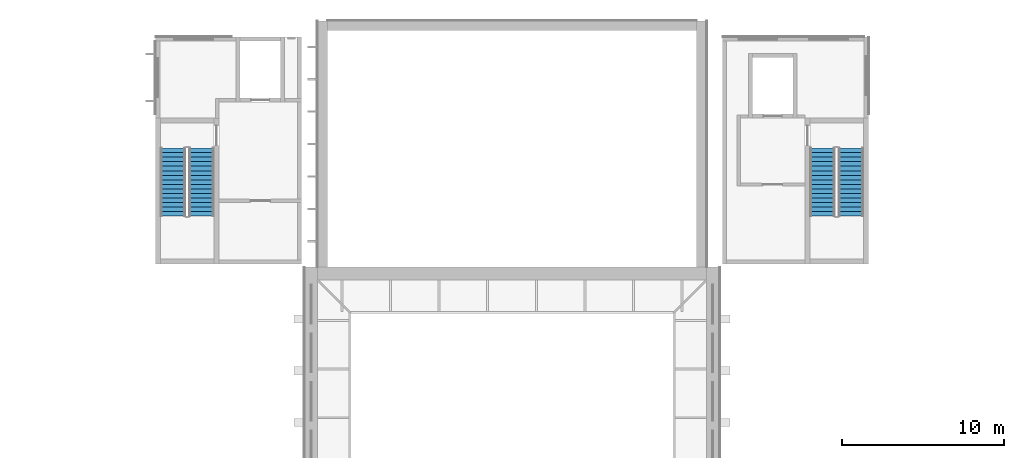
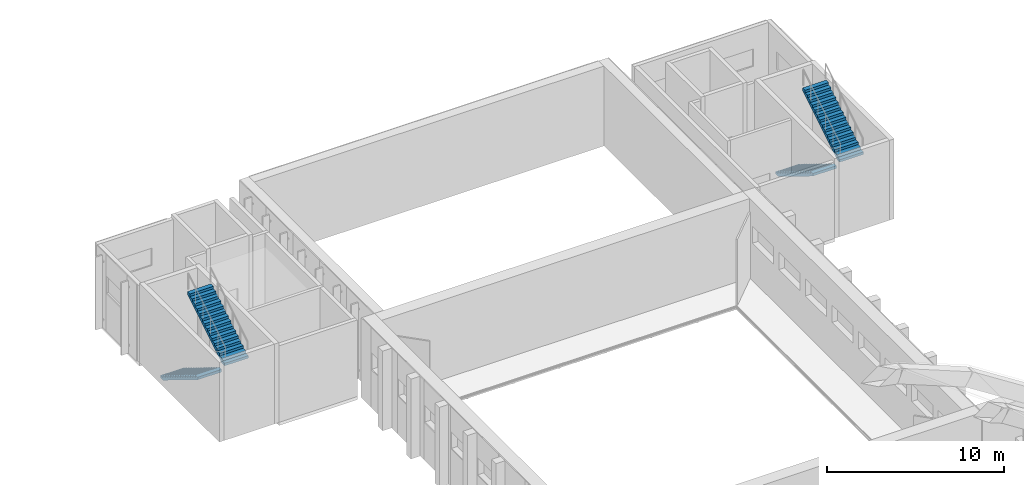
# One storey, part 70 of 94: 4 stair flights, 2 elements without a shape of their own.
"""IFC4 building model written with IfcOpenShell, lengths in metres."""

import ifcopenshell
import ifcopenshell.guid

model = None  # the IFC model being written
_history = None  # IfcOwnerHistory: only IFC2X3 demands one
_inside = {}  # id of a spatial element -> (the spatial element, [elements in it])
_under = {}  # id of a project, library or spatial element -> (it, [spatial elements below it])
_declared = {}  # id of a project -> (the project, [libraries it declares])
_typed = {}  # id of a type object -> (the type object, [elements of that type])
_made_of = {}  # id of a material, layer set ... -> (it, [elements and type objects made of it])


def new_model(schema):
    """Start an empty IFC model of exactly this schema.

    Asked for "IFC4X3", IfcOpenShell would pick the latest addendum, in which some entities
    have other attributes; the version numbers below select the first issue.
    IFC2X3 requires an IfcOwnerHistory on every rooted entity: one is made here for all.
    """
    global model, _history
    if schema == "IFC4X3":
        model = ifcopenshell.file(schema_version=(4, 3, 0, 0))
    else:
        model = ifcopenshell.file(schema=schema)
    _inside.clear()
    _under.clear()
    _declared.clear()
    _typed.clear()
    _made_of.clear()
    _history = None
    if model.schema == "IFC2X3":
        org = make("IfcOrganization", Name="unknown")
        user = make(
            "IfcPersonAndOrganization",
            ThePerson=make("IfcPerson", FamilyName="unknown"),
            TheOrganization=org,
        )
        app = make(
            "IfcApplication",
            ApplicationDeveloper=org,
            Version="unknown",
            ApplicationFullName="unknown",
            ApplicationIdentifier="unknown",
        )
        _history = make(
            "IfcOwnerHistory",
            OwningUser=user,
            OwningApplication=app,
            ChangeAction="ADDED",
            CreationDate=0,
        )
    return model


def make(cls, **values):
    """One entity of the class cls with the attributes given. An attribute that is None is left unset."""
    return model.create_entity(
        cls, **{name: value for name, value in values.items() if value is not None}
    )


def rooted(cls, **values):
    """An entity with a GlobalId (a new one), such as an element, a storey or a relation."""
    return make(cls, GlobalId=ifcopenshell.guid.new(), OwnerHistory=_history, **values)


def si_unit(unit_type, name, prefix=None):
    """IfcSIUnit, for example si_unit("LENGTHUNIT", "METRE", prefix="MILLI")."""
    return make("IfcSIUnit", UnitType=unit_type, Prefix=prefix, Name=name)


def assignment(units):
    """IfcUnitAssignment: the units of a project."""
    return None if units is None else make("IfcUnitAssignment", Units=units)


def point(xyz):
    """IfcCartesianPoint."""
    return None if xyz is None else make("IfcCartesianPoint", Coordinates=xyz)


def direction(xyz):
    """IfcDirection."""
    return None if xyz is None else make("IfcDirection", DirectionRatios=xyz)


def frame(location, z_axis=None, x_axis=None):
    """IfcAxis2Placement3D, a coordinate frame: its origin and axes. An axis left out is left unset."""
    return make(
        "IfcAxis2Placement3D",
        Location=point(location),
        Axis=direction(z_axis),
        RefDirection=direction(x_axis),
    )


def origin():
    """The frame at (0, 0, 0) with its axes left unset."""
    return frame((0.0, 0.0, 0.0))


def place(relative_to, where):
    """IfcLocalPlacement: puts the frame where relative to a parent placement (None: the world)."""
    return make(
        "IfcLocalPlacement", PlacementRelTo=relative_to, RelativePlacement=where
    )


def context(
    kind, dimensions, precision=None, world=None, true_north=None, identifier=None
):
    """IfcGeometricRepresentationContext, for example the 3D "Model" context."""
    return make(
        "IfcGeometricRepresentationContext",
        ContextIdentifier=identifier,
        ContextType=kind,
        CoordinateSpaceDimension=dimensions,
        Precision=precision,
        WorldCoordinateSystem=world,
        TrueNorth=true_north,
    )


def subcontext(parent, identifier, kind, view, scale=None):
    """IfcGeometricRepresentationSubContext, for example "Body" below "Model"."""
    return make(
        "IfcGeometricRepresentationSubContext",
        ContextIdentifier=identifier,
        ContextType=kind,
        ParentContext=parent,
        TargetScale=scale,
        TargetView=view,
    )


def project(units=None, contexts=None):
    """IfcProject with its units and contexts."""
    return rooted(
        "IfcProject",
        Name="project",
        RepresentationContexts=contexts,
        UnitsInContext=assignment(units),
    )


def spatial(cls, under=None, at=None, **own):
    """A site, building, storey or space (cls), placed at a placement, below another one or the project."""
    s = rooted(cls, ObjectPlacement=at, **own)
    if under is not None:
        _under.setdefault(under.id(), (under, []))[1].append(s)
    return s


def polyline(points):
    """IfcPolyline through the points."""
    return make("IfcPolyline", Points=[point(p) for p in points])


def outline(outer, holes=None, kind="AREA"):
    """IfcArbitraryClosedProfileDef: a profile drawn as a closed curve; with holes, ...WithVoids."""
    if holes is None:
        return make("IfcArbitraryClosedProfileDef", ProfileType=kind, OuterCurve=outer)
    return make(
        "IfcArbitraryProfileDefWithVoids",
        ProfileType=kind,
        OuterCurve=outer,
        InnerCurves=holes,
    )


def extrude(swept, where, along, depth):
    """IfcExtrudedAreaSolid: the profile swept, set in the frame where, extruded along a direction by depth."""
    return make(
        "IfcExtrudedAreaSolid",
        SweptArea=swept,
        Position=where,
        ExtrudedDirection=direction(along),
        Depth=depth,
    )


def shape(context_of_items, identifier, shape_type, items):
    """IfcShapeRepresentation: the items that make up one representation, for example the "Body"."""
    return make(
        "IfcShapeRepresentation",
        ContextOfItems=context_of_items,
        RepresentationIdentifier=identifier,
        RepresentationType=shape_type,
        Items=items,
    )


def material(Name=None, Category=None):
    """IfcMaterial."""
    return make("IfcMaterial", Name=Name, Category=Category)


def made_of(thing, what):
    """Note that an element or type object is made of a material, layer set ...; save() writes the relation."""
    if what is not None:
        _made_of.setdefault(what.id(), (what, []))[1].append(thing)
    return thing


def type_object(cls, material=None, **own):
    """A type object (cls), such as IfcWallType, which elements share."""
    return made_of(rooted(cls, **own), material)


def element(
    cls,
    number,
    at=None,
    inside=None,
    cuts=None,
    type_object=None,
    material=None,
    context=None,
    identifier="Body",
    shape_type=None,
    held_by="IfcProductDefinitionShape",
    body=None,
    shapes=None,
    **own,
):
    """One element of the class cls, such as IfcWall. Its Tag is "e" and its number.

    at: its placement. inside: the storey or other place that contains it. cuts: it is an
    opening in that element (IfcRelVoidsElement). A single representation is given by context,
    identifier, shape_type and body (its items); several are given by shapes. held_by: the class
    of the entity that holds the representations. save() writes the other relations.
    """
    e = rooted(cls, Tag="e%d" % number, ObjectPlacement=at, **own)
    if body is not None:
        shapes = [shape(context, identifier, shape_type, body)]
    if shapes is not None:
        e.Representation = make(held_by, Representations=shapes)
    if inside is not None:
        _inside.setdefault(inside.id(), (inside, []))[1].append(e)
    if cuts is not None:
        rooted(
            "IfcRelVoidsElement", RelatingBuildingElement=cuts, RelatedOpeningElement=e
        )
    if type_object is not None:
        _typed.setdefault(type_object.id(), (type_object, []))[1].append(e)
    return made_of(e, material)


def aggregate(whole, parts):
    """IfcRelAggregates: a whole, such as a stair, and the parts it consists of."""
    return rooted("IfcRelAggregates", RelatingObject=whole, RelatedObjects=parts)


def save(model, path):
    """Write the relations noted so far, then the file.

    IfcRelAggregates (storeys below a building ...), IfcRelContainedInSpatialStructure (elements
    in a storey), IfcRelDefinesByType, IfcRelAssociatesMaterial and IfcRelDeclares: one each for
    every whole, place, type object, material and project.
    """
    for whole, parts in _under.values():
        aggregate(whole, parts)
    for where, things in _inside.values():
        rooted(
            "IfcRelContainedInSpatialStructure",
            RelatedElements=things,
            RelatingStructure=where,
        )
    for kind, things in _typed.values():
        rooted("IfcRelDefinesByType", RelatedObjects=things, RelatingType=kind)
    for what, things in _made_of.values():
        rooted("IfcRelAssociatesMaterial", RelatedObjects=things, RelatingMaterial=what)
    for by, libraries in _declared.values():
        rooted("IfcRelDeclares", RelatingContext=by, RelatedDefinitions=libraries)
    model.write(path)


model = new_model("IFC4")

# Units and contexts
model_context = context("Model", 3, precision=1e-05, world=origin(), true_north=direction((0.0, 1.0)))
body_context = subcontext(model_context, "Body", "Model", "MODEL_VIEW")
ifc_project = project(units=[si_unit("LENGTHUNIT", "METRE"), si_unit("AREAUNIT", "SQUARE_METRE"), si_unit("VOLUMEUNIT", "CUBIC_METRE"), si_unit("PLANEANGLEUNIT", "RADIAN"), si_unit("MASSUNIT", "GRAM", prefix="KILO")], contexts=[model_context])

# Site, building, storey
site_placement = place(None, origin())
site = spatial("IfcSite", under=ifc_project, at=site_placement, CompositionType="ELEMENT")
building_placement = place(site_placement, origin())
building = spatial("IfcBuilding", under=site, at=building_placement, Name="Lunette Opera House", CompositionType="ELEMENT")
storey_placement = place(building_placement, frame((0.0, 0.0, 22.5)))
storey = spatial("IfcBuildingStorey", under=building, at=storey_placement, Name="L04", CompositionType="ELEMENT", Elevation=22.5)

# Stair, stair flights
ifc_material_1 = material(Name="Concrete C35/45", Category="concrete")
stair_type = type_object("IfcStairType", Name="DOGLEG STAIR 1550", PredefinedType="HALF_TURN_STAIR", material=ifc_material_1)
stair_1_placement = place(storey_placement, origin())
stair_1 = element("IfcStair", 1, at=stair_1_placement, inside=storey, type_object=stair_type, Name="L04 stair ST11", PredefinedType="HALF_TURN_STAIR")
ifc_material_2 = material(Name="Concrete C35/45", Category="concrete")
stair_flight_type = type_object("IfcStairFlightType", Name="STRAIGHT STAIR FLIGHT 1550", PredefinedType="STRAIGHT", material=ifc_material_2)
stair_flight_1_placement = place(storey_placement, frame((75.074951171875, 128.14990234375, 0.0), z_axis=(0.0, 0.0, 1.0), x_axis=(0.0, -1.0, 0.0)))
stair_flight_1 = element("IfcStairFlight", 2, at=stair_flight_1_placement, type_object=stair_flight_type, Name="ST11 flight 1", NumberOfRisers=16, NumberOfTreads=15, PredefinedType="STRAIGHT", RiserHeight=0.171875, TreadLength=0.28, context=body_context, shape_type="SweptSolid", body=[
    extrude(outline(polyline([(0.0, 0.0), (0.0, 0.171875), (0.280029296875, 0.171875), (0.280029296875, 0.34375), (0.56005859375, 0.34375), (0.56005859375, 0.515625), (0.840087890625, 0.515625), (0.840087890625, 0.6875), (1.1201171875, 0.6875), (1.1201171875, 0.859375), (1.39990234375, 0.859375), (1.39990234375, 1.03125), (1.679931640625, 1.03125), (1.679931640625, 1.203125), (1.9599609375, 1.203125), (1.9599609375, 1.375), (2.239990234375, 1.375), (2.239990234375, 1.546875), (2.52001953125, 1.546875), (2.52001953125, 1.71875), (2.800048828125, 1.71875), (2.800048828125, 1.890625), (3.080078125, 1.890625), (3.080078125, 2.0625), (3.360107421875, 2.0625), (3.360107421875, 2.234375), (3.639892578125, 2.234375), (3.639892578125, 2.40625), (3.919921875, 2.40625), (3.919921875, 2.578125), (4.199951171875, 2.578125), (4.199951171875, 2.75), (4.199951171875, 2.40234375), (0.28662109375, 0.0), (0.0, 0.0)])), frame((0.0, 0.77490234375, 0.0), z_axis=(0.0, -1.0, 0.0), x_axis=(1.0, 0.0, 0.0)), (0.0, 0.0, 1.0), 1.550048828125),
])
stair_flight_2_placement = place(storey_placement, frame((76.824951171875, 123.949951171875, 2.75), z_axis=(0.0, 0.0, 1.0), x_axis=(0.0, 1.0, 0.0)))
stair_flight_2 = element("IfcStairFlight", 3, at=stair_flight_2_placement, type_object=stair_flight_type, Name="ST11 flight 2", NumberOfRisers=16, NumberOfTreads=15, PredefinedType="STRAIGHT", RiserHeight=0.171875, TreadLength=0.28, context=body_context, shape_type="SweptSolid", body=[
    extrude(outline(polyline([(0.0, 0.0), (0.0, 0.171875), (0.280029296875, 0.171875), (0.280029296875, 0.34375), (0.56005859375, 0.34375), (0.56005859375, 0.515625), (0.840087890625, 0.515625), (0.840087890625, 0.6875), (1.1201171875, 0.6875), (1.1201171875, 0.859375), (1.39990234375, 0.859375), (1.39990234375, 1.03125), (1.679931640625, 1.03125), (1.679931640625, 1.203125), (1.9599609375, 1.203125), (1.9599609375, 1.375), (2.239990234375, 1.375), (2.239990234375, 1.546875), (2.52001953125, 1.546875), (2.52001953125, 1.71875), (2.800048828125, 1.71875), (2.800048828125, 1.890625), (3.080078125, 1.890625), (3.080078125, 2.0625), (3.360107421875, 2.0625), (3.360107421875, 2.234375), (3.639892578125, 2.234375), (3.639892578125, 2.40625), (3.919921875, 2.40625), (3.919921875, 2.578125), (4.199951171875, 2.578125), (4.199951171875, 2.75), (4.199951171875, 2.40234375), (0.28662109375, 0.0), (0.0, 0.0)])), frame((0.0, 0.77490234375, 0.0), z_axis=(0.0, -1.0, 0.0), x_axis=(1.0, 0.0, 0.0)), (0.0, 0.0, 1.0), 1.550048828125),
])
aggregate(stair_1, [stair_flight_1, stair_flight_2])

stair_2_placement = place(storey_placement, origin())
stair_2 = element("IfcStair", 4, at=stair_2_placement, inside=storey, type_object=stair_type, Name="L04 stair ST12", PredefinedType="HALF_TURN_STAIR")
stair_flight_3_placement = place(storey_placement, frame((115.175048828125, 128.14990234375, 0.0), z_axis=(0.0, 0.0, 1.0), x_axis=(0.0, -1.0, 0.0)))
stair_flight_3 = element("IfcStairFlight", 5, at=stair_flight_3_placement, type_object=stair_flight_type, Name="ST12 flight 1", NumberOfRisers=16, NumberOfTreads=15, PredefinedType="STRAIGHT", RiserHeight=0.171875, TreadLength=0.28, context=body_context, shape_type="SweptSolid", body=[
    extrude(outline(polyline([(0.0, 0.0), (0.0, 0.171875), (0.280029296875, 0.171875), (0.280029296875, 0.34375), (0.56005859375, 0.34375), (0.56005859375, 0.515625), (0.840087890625, 0.515625), (0.840087890625, 0.6875), (1.1201171875, 0.6875), (1.1201171875, 0.859375), (1.39990234375, 0.859375), (1.39990234375, 1.03125), (1.679931640625, 1.03125), (1.679931640625, 1.203125), (1.9599609375, 1.203125), (1.9599609375, 1.375), (2.239990234375, 1.375), (2.239990234375, 1.546875), (2.52001953125, 1.546875), (2.52001953125, 1.71875), (2.800048828125, 1.71875), (2.800048828125, 1.890625), (3.080078125, 1.890625), (3.080078125, 2.0625), (3.360107421875, 2.0625), (3.360107421875, 2.234375), (3.639892578125, 2.234375), (3.639892578125, 2.40625), (3.919921875, 2.40625), (3.919921875, 2.578125), (4.199951171875, 2.578125), (4.199951171875, 2.75), (4.199951171875, 2.40234375), (0.28662109375, 0.0), (0.0, 0.0)])), frame((0.0, 0.77490234375, 0.0), z_axis=(0.0, -1.0, 0.0), x_axis=(1.0, 0.0, 0.0)), (0.0, 0.0, 1.0), 1.550048828125),
])
stair_flight_4_placement = place(storey_placement, frame((116.925048828125, 123.949951171875, 2.75), z_axis=(0.0, 0.0, 1.0), x_axis=(0.0, 1.0, 0.0)))
stair_flight_4 = element("IfcStairFlight", 6, at=stair_flight_4_placement, type_object=stair_flight_type, Name="ST12 flight 2", NumberOfRisers=16, NumberOfTreads=15, PredefinedType="STRAIGHT", RiserHeight=0.171875, TreadLength=0.28, context=body_context, shape_type="SweptSolid", body=[
    extrude(outline(polyline([(0.0, 0.0), (0.0, 0.171875), (0.280029296875, 0.171875), (0.280029296875, 0.34375), (0.56005859375, 0.34375), (0.56005859375, 0.515625), (0.840087890625, 0.515625), (0.840087890625, 0.6875), (1.1201171875, 0.6875), (1.1201171875, 0.859375), (1.39990234375, 0.859375), (1.39990234375, 1.03125), (1.679931640625, 1.03125), (1.679931640625, 1.203125), (1.9599609375, 1.203125), (1.9599609375, 1.375), (2.239990234375, 1.375), (2.239990234375, 1.546875), (2.52001953125, 1.546875), (2.52001953125, 1.71875), (2.800048828125, 1.71875), (2.800048828125, 1.890625), (3.080078125, 1.890625), (3.080078125, 2.0625), (3.360107421875, 2.0625), (3.360107421875, 2.234375), (3.639892578125, 2.234375), (3.639892578125, 2.40625), (3.919921875, 2.40625), (3.919921875, 2.578125), (4.199951171875, 2.578125), (4.199951171875, 2.75), (4.199951171875, 2.40234375), (0.28662109375, 0.0), (0.0, 0.0)])), frame((0.0, 0.77490234375, 0.0), z_axis=(0.0, -1.0, 0.0), x_axis=(1.0, 0.0, 0.0)), (0.0, 0.0, 1.0), 1.550048828125),
])
aggregate(stair_2, [stair_flight_3, stair_flight_4])

save(model, "model.ifc")
